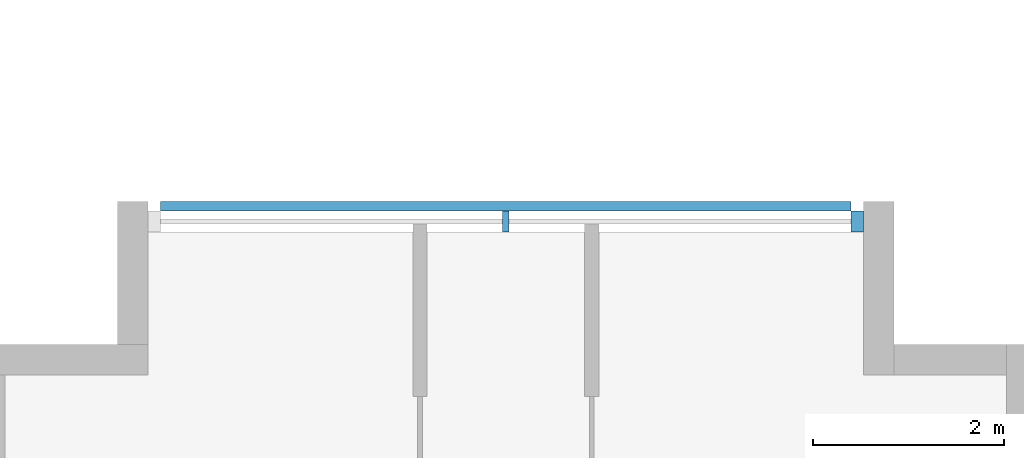
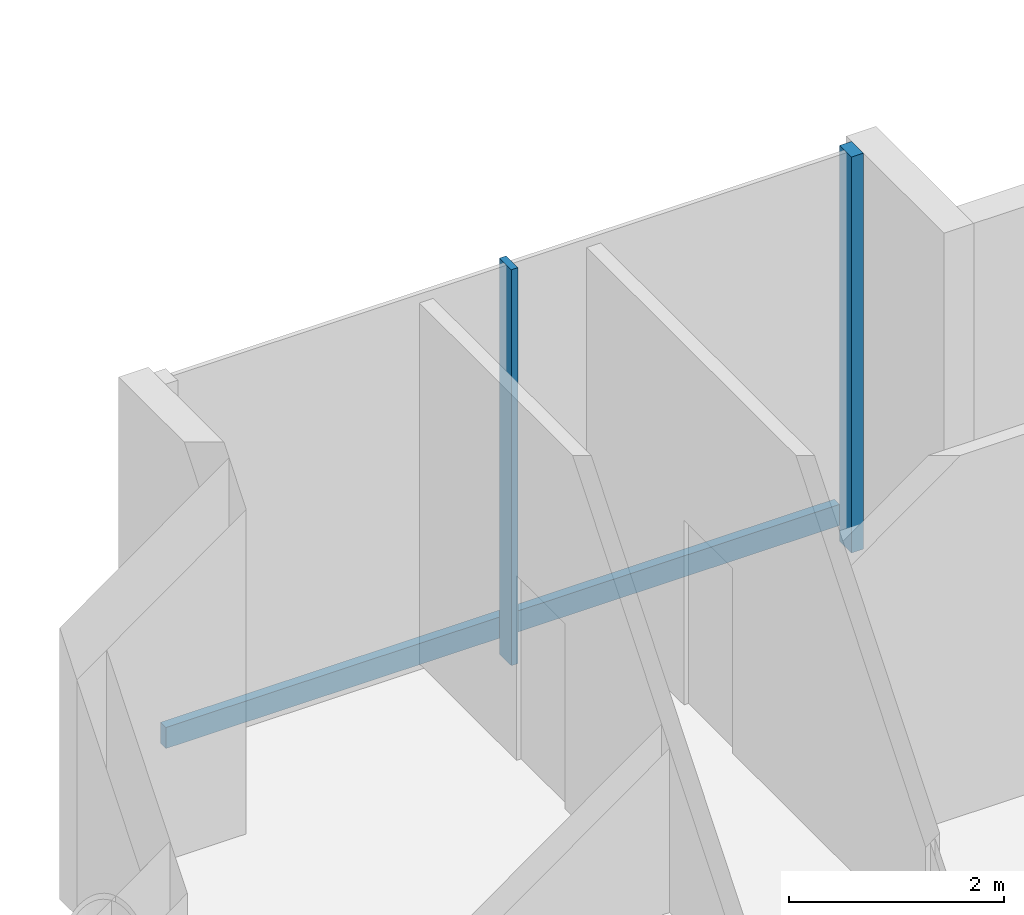
# One storey, part 5 of 20: 3 members, 1 element without a shape of its own.
"""IFC4 building model written with IfcOpenShell, lengths in metres."""

from ifc_helpers import new_model, si_unit, direction, frame, origin, origin_2d, place, context, subcontext, project, spatial, rectangle, extrude, material, layer, layer_set, material_profile, profile_set, type_object, element, aggregate, save


model = new_model("IFC4")

# Units and contexts
model_context = context("Model", 3, precision=1e-05, world=origin(), true_north=direction((0.0, 1.0)))
body_context = subcontext(model_context, "Body", "Model", "MODEL_VIEW")
ifc_project = project(units=[si_unit("LENGTHUNIT", "METRE"), si_unit("AREAUNIT", "SQUARE_METRE"), si_unit("VOLUMEUNIT", "CUBIC_METRE"), si_unit("PLANEANGLEUNIT", "RADIAN"), si_unit("MASSUNIT", "GRAM", prefix="KILO")], contexts=[model_context])

# Site, building, storey
site_placement = place(None, origin())
site = spatial("IfcSite", under=ifc_project, at=site_placement, CompositionType="ELEMENT")
building_placement = place(site_placement, origin())
building = spatial("IfcBuilding", under=site, at=building_placement, Name="Ipe Terrace Towers", CompositionType="ELEMENT")
storey_placement = place(building_placement, frame((0.0, 0.0, 124.199951171875)))
storey = spatial("IfcBuildingStorey", under=building, at=storey_placement, Name="L34", CompositionType="ELEMENT", Elevation=124.199951171875)

# Curtain wall, members
ifc_material_1 = material(Name="Aluminium alloy 6063-T6", Category="aluminium")
ifc_layer = layer(ifc_material_1, 0.320068359375)
ifc_layer_set = layer_set([ifc_layer], Name="PLANT LOUVRE CURTAIN WALL")
curtain_wall_type = type_object("IfcCurtainWallType", Name="PLANT LOUVRE CURTAIN WALL", PredefinedType="NOTDEFINED", material=ifc_layer_set)
curtain_wall_placement = place(storey_placement, origin())
curtain_wall = element("IfcCurtainWall", 1, at=curtain_wall_placement, inside=storey, type_object=curtain_wall_type, Name="T1-CW-L34-38a curtain wall", PredefinedType="NOTDEFINED")
ifc_material_2 = material(Name="Aluminium alloy 6063-T6", Category="aluminium")
ifc_material_profile_1 = material_profile(ifc_material_2, rectangle(XDim=0.219970703125, YDim=0.1298828125, at=origin_2d()), Name="PLANT LOUVRE CORNER MULLION 220 x 130")
ifc_profile_set_1 = profile_set([ifc_material_profile_1], Name="Aluminium alloy 6063-T6")
member_type_1 = type_object("IfcMemberType", Name="PLANT LOUVRE CORNER MULLION 220 x 130", PredefinedType="MULLION", material=ifc_profile_set_1)
member_1_placement = place(storey_placement, frame((-32.31494140625, 15.860107421875, -0.300048828125), z_axis=(0.0, 0.0, 1.0), x_axis=(0.0, 1.0, 0.0)))
member_1 = element("IfcMember", 2, at=member_1_placement, type_object=member_type_1, Name="T1-CW-L34-38a mullion 1", PredefinedType="MULLION", context=body_context, shape_type="SweptSolid", body=[
    extrude(rectangle(XDim=0.219970703125, YDim=0.1298828125, at=origin_2d()), origin(), (0.0, 0.0, 1.0), 4.5),
])
ifc_material_3 = material(Name="Aluminium alloy 6063-T6", Category="aluminium")
ifc_material_profile_2 = material_profile(ifc_material_3, rectangle(XDim=0.219970703125, YDim=0.070068359375, at=origin_2d()), Name="PLANT LOUVRE MULLION 220 x 70")
ifc_profile_set_2 = profile_set([ifc_material_profile_2], Name="Aluminium alloy 6063-T6")
member_type_2 = type_object("IfcMemberType", Name="PLANT LOUVRE MULLION 220 x 70", PredefinedType="MULLION", material=ifc_profile_set_2)
member_2_placement = place(storey_placement, frame((-36.0, 15.860107421875, -0.300048828125), z_axis=(0.0, 0.0, 1.0), x_axis=(0.0, 1.0, 0.0)))
member_2 = element("IfcMember", 3, at=member_2_placement, type_object=member_type_2, Name="T1-CW-L34-38a mullion 2", PredefinedType="MULLION", context=body_context, shape_type="SweptSolid", body=[
    extrude(rectangle(XDim=0.219970703125, YDim=0.070068359375, at=origin_2d()), origin(), (0.0, 0.0, 1.0), 4.5),
])
ifc_material_4 = material(Name="Aluminium alloy 6063-T6", Category="aluminium")
ifc_material_profile_3 = material_profile(ifc_material_4, rectangle(XDim=0.10009765625, YDim=0.239990234375, at=origin_2d()), Name="PLANT LOUVRE TRANSOM 100 x 240")
ifc_profile_set_3 = profile_set([ifc_material_profile_3], Name="Aluminium alloy 6063-T6")
member_type_3 = type_object("IfcMemberType", Name="PLANT LOUVRE TRANSOM 100 x 240", PredefinedType="USERDEFINED", material=ifc_profile_set_3)
member_3_placement = place(storey_placement, frame((-32.3798828125, 16.02001953125, 0.0), z_axis=(-1.0, 0.0, 0.0), x_axis=(0.0, 1.0, 0.0)))
member_3 = element("IfcMember", 4, at=member_3_placement, type_object=member_type_3, Name="T1-CW-L34-38a transom", ObjectType="TRANSOM", PredefinedType="USERDEFINED", context=body_context, shape_type="SweptSolid", body=[
    extrude(rectangle(XDim=0.10009765625, YDim=0.239990234375, at=origin_2d()), origin(), (0.0, 0.0, 1.0), 7.240234375),
])
aggregate(curtain_wall, [member_1, member_2, member_3])

save(model, "model.ifc")
